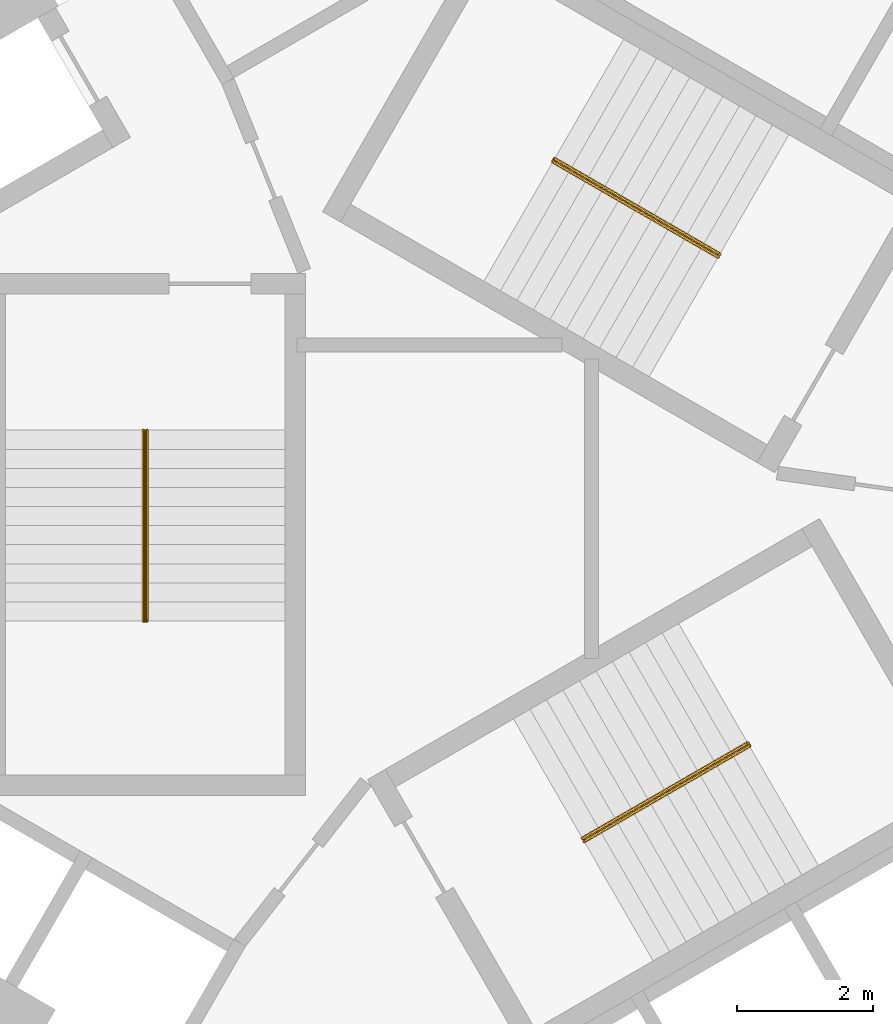
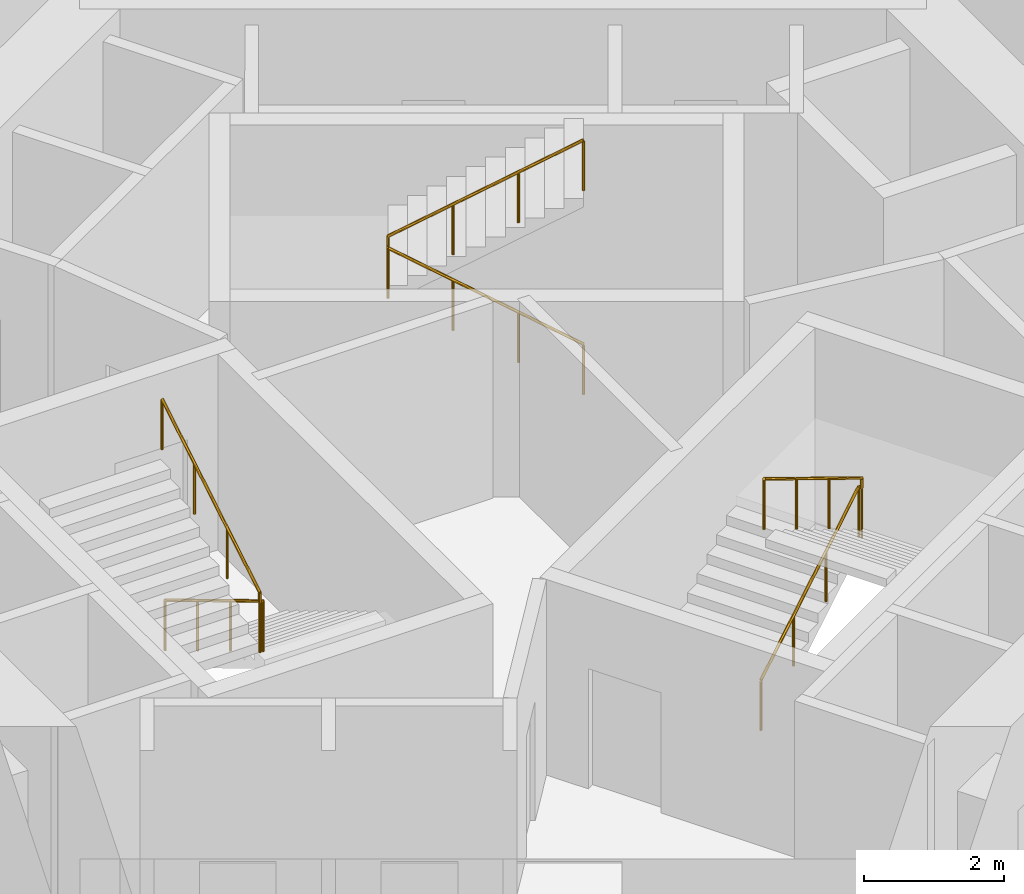
# One storey, part 10 of 10: 3 railings.
"""IFC4 building model written with IfcOpenShell, lengths in metres."""

import ifcopenshell
import ifcopenshell.guid

model = None  # the IFC model being written
_history = None  # IfcOwnerHistory: only IFC2X3 demands one
_inside = {}  # id of a spatial element -> (the spatial element, [elements in it])
_under = {}  # id of a project, library or spatial element -> (it, [spatial elements below it])
_declared = {}  # id of a project -> (the project, [libraries it declares])
_typed = {}  # id of a type object -> (the type object, [elements of that type])
_made_of = {}  # id of a material, layer set ... -> (it, [elements and type objects made of it])


def new_model(schema):
    """Start an empty IFC model of exactly this schema.

    Asked for "IFC4X3", IfcOpenShell would pick the latest addendum, in which some entities
    have other attributes; the version numbers below select the first issue.
    IFC2X3 requires an IfcOwnerHistory on every rooted entity: one is made here for all.
    """
    global model, _history
    if schema == "IFC4X3":
        model = ifcopenshell.file(schema_version=(4, 3, 0, 0))
    else:
        model = ifcopenshell.file(schema=schema)
    _inside.clear()
    _under.clear()
    _declared.clear()
    _typed.clear()
    _made_of.clear()
    _history = None
    if model.schema == "IFC2X3":
        org = make("IfcOrganization", Name="unknown")
        user = make(
            "IfcPersonAndOrganization",
            ThePerson=make("IfcPerson", FamilyName="unknown"),
            TheOrganization=org,
        )
        app = make(
            "IfcApplication",
            ApplicationDeveloper=org,
            Version="unknown",
            ApplicationFullName="unknown",
            ApplicationIdentifier="unknown",
        )
        _history = make(
            "IfcOwnerHistory",
            OwningUser=user,
            OwningApplication=app,
            ChangeAction="ADDED",
            CreationDate=0,
        )
    return model


def make(cls, **values):
    """One entity of the class cls with the attributes given. An attribute that is None is left unset."""
    return model.create_entity(
        cls, **{name: value for name, value in values.items() if value is not None}
    )


def rooted(cls, **values):
    """An entity with a GlobalId (a new one), such as an element, a storey or a relation."""
    return make(cls, GlobalId=ifcopenshell.guid.new(), OwnerHistory=_history, **values)


def si_unit(unit_type, name, prefix=None):
    """IfcSIUnit, for example si_unit("LENGTHUNIT", "METRE", prefix="MILLI")."""
    return make("IfcSIUnit", UnitType=unit_type, Prefix=prefix, Name=name)


def assignment(units):
    """IfcUnitAssignment: the units of a project."""
    return None if units is None else make("IfcUnitAssignment", Units=units)


def point(xyz):
    """IfcCartesianPoint."""
    return None if xyz is None else make("IfcCartesianPoint", Coordinates=xyz)


def direction(xyz):
    """IfcDirection."""
    return None if xyz is None else make("IfcDirection", DirectionRatios=xyz)


def frame(location, z_axis=None, x_axis=None):
    """IfcAxis2Placement3D, a coordinate frame: its origin and axes. An axis left out is left unset."""
    return make(
        "IfcAxis2Placement3D",
        Location=point(location),
        Axis=direction(z_axis),
        RefDirection=direction(x_axis),
    )


def frame_2d(location, x_axis=None):
    """IfcAxis2Placement2D, a coordinate frame in the plane: its origin and x axis."""
    return make(
        "IfcAxis2Placement2D", Location=point(location), RefDirection=direction(x_axis)
    )


def origin():
    """The frame at (0, 0, 0) with its axes left unset."""
    return frame((0.0, 0.0, 0.0))


def origin_2d():
    """The frame at (0, 0) in the plane with its x axis left unset."""
    return frame_2d((0.0, 0.0))


def place(relative_to, where):
    """IfcLocalPlacement: puts the frame where relative to a parent placement (None: the world)."""
    return make(
        "IfcLocalPlacement", PlacementRelTo=relative_to, RelativePlacement=where
    )


def context(
    kind, dimensions, precision=None, world=None, true_north=None, identifier=None
):
    """IfcGeometricRepresentationContext, for example the 3D "Model" context."""
    return make(
        "IfcGeometricRepresentationContext",
        ContextIdentifier=identifier,
        ContextType=kind,
        CoordinateSpaceDimension=dimensions,
        Precision=precision,
        WorldCoordinateSystem=world,
        TrueNorth=true_north,
    )


def subcontext(parent, identifier, kind, view, scale=None):
    """IfcGeometricRepresentationSubContext, for example "Body" below "Model"."""
    return make(
        "IfcGeometricRepresentationSubContext",
        ContextIdentifier=identifier,
        ContextType=kind,
        ParentContext=parent,
        TargetScale=scale,
        TargetView=view,
    )


def project(units=None, contexts=None):
    """IfcProject with its units and contexts."""
    return rooted(
        "IfcProject",
        Name="project",
        RepresentationContexts=contexts,
        UnitsInContext=assignment(units),
    )


def spatial(cls, under=None, at=None, **own):
    """A site, building, storey or space (cls), placed at a placement, below another one or the project."""
    s = rooted(cls, ObjectPlacement=at, **own)
    if under is not None:
        _under.setdefault(under.id(), (under, []))[1].append(s)
    return s


def profile(cls, at=None, kind="AREA", **sizes):
    """A parametric profile (cls). Its sizes go by their IFC names, for example OverallWidth=200.0."""
    return make(cls, ProfileType=kind, Position=at, **sizes)


def circle(**sizes):
    """IfcCircleProfileDef."""
    return profile("IfcCircleProfileDef", **sizes)


def extrude(swept, where, along, depth):
    """IfcExtrudedAreaSolid: the profile swept, set in the frame where, extruded along a direction by depth."""
    return make(
        "IfcExtrudedAreaSolid",
        SweptArea=swept,
        Position=where,
        ExtrudedDirection=direction(along),
        Depth=depth,
    )


def shape(context_of_items, identifier, shape_type, items):
    """IfcShapeRepresentation: the items that make up one representation, for example the "Body"."""
    return make(
        "IfcShapeRepresentation",
        ContextOfItems=context_of_items,
        RepresentationIdentifier=identifier,
        RepresentationType=shape_type,
        Items=items,
    )


def material(Name=None, Category=None):
    """IfcMaterial."""
    return make("IfcMaterial", Name=Name, Category=Category)


def made_of(thing, what):
    """Note that an element or type object is made of a material, layer set ...; save() writes the relation."""
    if what is not None:
        _made_of.setdefault(what.id(), (what, []))[1].append(thing)
    return thing


def type_object(cls, material=None, **own):
    """A type object (cls), such as IfcWallType, which elements share."""
    return made_of(rooted(cls, **own), material)


def element(
    cls,
    number,
    at=None,
    inside=None,
    cuts=None,
    type_object=None,
    material=None,
    context=None,
    identifier="Body",
    shape_type=None,
    held_by="IfcProductDefinitionShape",
    body=None,
    shapes=None,
    **own,
):
    """One element of the class cls, such as IfcWall. Its Tag is "e" and its number.

    at: its placement. inside: the storey or other place that contains it. cuts: it is an
    opening in that element (IfcRelVoidsElement). A single representation is given by context,
    identifier, shape_type and body (its items); several are given by shapes. held_by: the class
    of the entity that holds the representations. save() writes the other relations.
    """
    e = rooted(cls, Tag="e%d" % number, ObjectPlacement=at, **own)
    if body is not None:
        shapes = [shape(context, identifier, shape_type, body)]
    if shapes is not None:
        e.Representation = make(held_by, Representations=shapes)
    if inside is not None:
        _inside.setdefault(inside.id(), (inside, []))[1].append(e)
    if cuts is not None:
        rooted(
            "IfcRelVoidsElement", RelatingBuildingElement=cuts, RelatedOpeningElement=e
        )
    if type_object is not None:
        _typed.setdefault(type_object.id(), (type_object, []))[1].append(e)
    return made_of(e, material)


def aggregate(whole, parts):
    """IfcRelAggregates: a whole, such as a stair, and the parts it consists of."""
    return rooted("IfcRelAggregates", RelatingObject=whole, RelatedObjects=parts)


def save(model, path):
    """Write the relations noted so far, then the file.

    IfcRelAggregates (storeys below a building ...), IfcRelContainedInSpatialStructure (elements
    in a storey), IfcRelDefinesByType, IfcRelAssociatesMaterial and IfcRelDeclares: one each for
    every whole, place, type object, material and project.
    """
    for whole, parts in _under.values():
        aggregate(whole, parts)
    for where, things in _inside.values():
        rooted(
            "IfcRelContainedInSpatialStructure",
            RelatedElements=things,
            RelatingStructure=where,
        )
    for kind, things in _typed.values():
        rooted("IfcRelDefinesByType", RelatedObjects=things, RelatingType=kind)
    for what, things in _made_of.values():
        rooted("IfcRelAssociatesMaterial", RelatedObjects=things, RelatingMaterial=what)
    for by, libraries in _declared.values():
        rooted("IfcRelDeclares", RelatingContext=by, RelatedDefinitions=libraries)
    model.write(path)


model = new_model("IFC4")

# Units and contexts
model_context = context("Model", 3, precision=1e-05, world=origin(), true_north=direction((0.0, 1.0)))
body_context = subcontext(model_context, "Body", "Model", "MODEL_VIEW")
ifc_project = project(units=[si_unit("LENGTHUNIT", "METRE"), si_unit("AREAUNIT", "SQUARE_METRE"), si_unit("VOLUMEUNIT", "CUBIC_METRE"), si_unit("PLANEANGLEUNIT", "RADIAN"), si_unit("MASSUNIT", "GRAM", prefix="KILO")], contexts=[model_context])

# Site, building, storey
site_placement = place(None, origin())
site = spatial("IfcSite", under=ifc_project, at=site_placement, CompositionType="ELEMENT")
building_placement = place(site_placement, origin())
building = spatial("IfcBuilding", under=site, at=building_placement, Name="Vanh Sen Convention Tower", CompositionType="ELEMENT")
storey_placement = place(building_placement, frame((0.0, 0.0, 194.699951171875)))
storey = spatial("IfcBuildingStorey", under=building, at=storey_placement, Name="L48", CompositionType="ELEMENT", Elevation=194.699951171875)

# Railings
ifc_material = material(Name="Stainless steel handrail", Category="steel")
railing_type = type_object("IfcRailingType", Name="Stair handrail 900", PredefinedType="HANDRAIL", material=ifc_material)
railing_1_placement = place(storey_placement, frame((3.45849609375, 3.690185546875, 0.168212890625)))
element("IfcRailing", 1, at=railing_1_placement, inside=storey, type_object=railing_type, Name="Stair handrail ST1 L48", PredefinedType="HANDRAIL", context=body_context, shape_type="SweptSolid", body=[
    extrude(circle(Radius=0.02392578125, at=origin_2d()), frame((0.0, 0.0, 0.8759765625), z_axis=(-0.742390482028, 0.42860119049, 0.514934356695), x_axis=(-0.49998411664, -0.866034573852, 0.0)), (0.0, 0.0, 1.0), 3.26611328125),
    extrude(circle(Radius=0.02392578125, at=origin_2d()), frame((-2.4248046875, 1.39990234375, 2.5576171875), z_axis=(0.497188445666, 0.867642581652, 0.0), x_axis=(-0.867642581652, 0.497188445666, 0.0)), (0.0, 0.0, 1.0), 0.050048828125),
    extrude(circle(Radius=0.02392578125, at=origin_2d()), frame((-2.39990234375, 1.443359375, 2.5576171875), z_axis=(0.0, 0.0, 1.0), x_axis=(1.0, 0.0, 0.0)), (0.0, 0.0, 1.0), 0.168212890625),
    extrude(circle(Radius=0.02392578125, at=origin_2d()), frame((-2.39990234375, 1.443359375, 2.72607421875), z_axis=(0.742395268701, -0.428678701772, 0.514862928999), x_axis=(0.500049511043, 0.865996816683, 0.0)), (0.0, 0.0, 1.0), 3.26611328125),
    extrude(circle(Radius=0.02099609375, at=origin_2d()), origin(), (0.0, 0.0, 1.0), 0.851806640625),
    extrude(circle(Radius=0.02099609375, at=origin_2d()), frame((-0.808349609375, 0.466552734375, 0.560546875)), (0.0, 0.0, 1.0), 0.851806640625),
    extrude(circle(Radius=0.02099609375, at=origin_2d()), frame((-1.616455078125, 0.933349609375, 1.121337890625)), (0.0, 0.0, 1.0), 0.851806640625),
    extrude(circle(Radius=0.02099609375, at=origin_2d()), frame((-2.4248046875, 1.39990234375, 1.681884765625)), (0.0, 0.0, 1.0), 0.851806640625),
    extrude(circle(Radius=0.02099609375, at=origin_2d()), frame((-2.39990234375, 1.443359375, 1.681884765625)), (0.0, 0.0, 1.0), 0.851806640625),
    extrude(circle(Radius=0.02099609375, at=origin_2d()), frame((-2.39990234375, 1.443359375, 1.85009765625)), (0.0, 0.0, 1.0), 0.851806640625),
    extrude(circle(Radius=0.02099609375, at=origin_2d()), frame((-1.591552734375, 0.9765625, 2.41064453125)), (0.0, 0.0, 1.0), 0.851806640625),
    extrude(circle(Radius=0.02099609375, at=origin_2d()), frame((-0.783447265625, 0.510009765625, 2.97119140625)), (0.0, 0.0, 1.0), 0.851806640625),
    extrude(circle(Radius=0.02099609375, at=origin_2d()), frame((0.02490234375, 0.043212890625, 3.53173828125)), (0.0, 0.0, 1.0), 0.851806640625),
])
railing_2_placement = place(storey_placement, frame((-4.925048828125, 1.14990234375, 0.168212890625)))
element("IfcRailing", 2, at=railing_2_placement, inside=storey, type_object=railing_type, Name="Stair handrail ST2 L48", PredefinedType="HANDRAIL", context=body_context, shape_type="SweptSolid", body=[
    extrude(circle(Radius=0.02392578125, at=origin_2d()), frame((0.0, 0.0, 0.8759765625), z_axis=(0.0, -0.857222391501, 0.514946377315), x_axis=(1.0, 0.0, 0.0)), (0.0, 0.0, 1.0), 3.26611328125),
    extrude(circle(Radius=0.02392578125, at=origin_2d()), frame((0.0, -2.7998046875, 2.5576171875), z_axis=(-1.0, 0.0, 0.0), x_axis=(0.0, -1.0, 0.0)), (0.0, 0.0, 1.0), 0.050048828125),
    extrude(circle(Radius=0.02392578125, at=origin_2d()), frame((-0.050048828125, -2.7998046875, 2.5576171875), z_axis=(0.0, 0.0, 1.0), x_axis=(1.0, 0.0, 0.0)), (0.0, 0.0, 1.0), 0.168212890625),
    extrude(circle(Radius=0.02392578125, at=origin_2d()), frame((-0.050048828125, -2.7998046875, 2.72607421875), z_axis=(0.0, 0.857255387014, 0.514891446264), x_axis=(-1.0, 0.0, 0.0)), (0.0, 0.0, 1.0), 3.26611328125),
    extrude(circle(Radius=0.02099609375, at=origin_2d()), origin(), (0.0, 0.0, 1.0), 0.851806640625),
    extrude(circle(Radius=0.02099609375, at=origin_2d()), frame((0.0, -0.933349609375, 0.560546875)), (0.0, 0.0, 1.0), 0.851806640625),
    extrude(circle(Radius=0.02099609375, at=origin_2d()), frame((0.0, -1.866455078125, 1.121337890625)), (0.0, 0.0, 1.0), 0.851806640625),
    extrude(circle(Radius=0.02099609375, at=origin_2d()), frame((0.0, -2.7998046875, 1.681884765625)), (0.0, 0.0, 1.0), 0.851806640625),
    extrude(circle(Radius=0.02099609375, at=origin_2d()), frame((-0.050048828125, -2.7998046875, 1.681884765625)), (0.0, 0.0, 1.0), 0.851806640625),
    extrude(circle(Radius=0.02099609375, at=origin_2d()), frame((-0.050048828125, -2.7998046875, 1.85009765625)), (0.0, 0.0, 1.0), 0.851806640625),
    extrude(circle(Radius=0.02099609375, at=origin_2d()), frame((-0.050048828125, -1.866455078125, 2.41064453125)), (0.0, 0.0, 1.0), 0.851806640625),
    extrude(circle(Radius=0.02099609375, at=origin_2d()), frame((-0.050048828125, -0.933349609375, 2.97119140625)), (0.0, 0.0, 1.0), 0.851806640625),
    extrude(circle(Radius=0.02099609375, at=origin_2d()), frame((-0.050048828125, 0.0, 3.53173828125)), (0.0, 0.0, 1.0), 0.851806640625),
])
railing_3_placement = place(storey_placement, frame((1.466552734375, -4.840087890625, 0.168212890625)))
element("IfcRailing", 3, at=railing_3_placement, inside=storey, type_object=railing_type, Name="Stair handrail ST3 L48", PredefinedType="HANDRAIL", context=body_context, shape_type="SweptSolid", body=[
    extrude(circle(Radius=0.02392578125, at=origin_2d()), frame((0.0, 0.0, 0.8759765625), z_axis=(0.742390482028, 0.42860119049, 0.514934356695), x_axis=(-0.49998411664, 0.866034573852, 0.0)), (0.0, 0.0, 1.0), 3.26611328125),
    extrude(circle(Radius=0.02392578125, at=origin_2d()), frame((2.4248046875, 1.39990234375, 2.5576171875), z_axis=(0.502959906984, -0.86430974307, 0.0), x_axis=(0.86430974307, 0.502959906984, 0.0)), (0.0, 0.0, 1.0), 0.050048828125),
    extrude(circle(Radius=0.02392578125, at=origin_2d()), frame((2.449951171875, 1.356689453125, 2.5576171875), z_axis=(0.0, 0.0, 1.0), x_axis=(1.0, 0.0, 0.0)), (0.0, 0.0, 1.0), 0.168212890625),
    extrude(circle(Radius=0.02392578125, at=origin_2d()), frame((2.449951171875, 1.356689453125, 2.72607421875), z_axis=(-0.742395268701, -0.428678701772, 0.514862928999), x_axis=(0.500049511043, -0.865996816683, 0.0)), (0.0, 0.0, 1.0), 3.26611328125),
    extrude(circle(Radius=0.02099609375, at=origin_2d()), origin(), (0.0, 0.0, 1.0), 0.851806640625),
    extrude(circle(Radius=0.02099609375, at=origin_2d()), frame((0.808349609375, 0.466552734375, 0.560546875)), (0.0, 0.0, 1.0), 0.851806640625),
    extrude(circle(Radius=0.02099609375, at=origin_2d()), frame((1.616455078125, 0.933349609375, 1.121337890625)), (0.0, 0.0, 1.0), 0.851806640625),
    extrude(circle(Radius=0.02099609375, at=origin_2d()), frame((2.4248046875, 1.39990234375, 1.681884765625)), (0.0, 0.0, 1.0), 0.851806640625),
    extrude(circle(Radius=0.02099609375, at=origin_2d()), frame((2.449951171875, 1.356689453125, 1.681884765625)), (0.0, 0.0, 1.0), 0.851806640625),
    extrude(circle(Radius=0.02099609375, at=origin_2d()), frame((2.449951171875, 1.356689453125, 1.85009765625)), (0.0, 0.0, 1.0), 0.851806640625),
    extrude(circle(Radius=0.02099609375, at=origin_2d()), frame((1.6416015625, 0.889892578125, 2.41064453125)), (0.0, 0.0, 1.0), 0.851806640625),
    extrude(circle(Radius=0.02099609375, at=origin_2d()), frame((0.83349609375, 0.42333984375, 2.97119140625)), (0.0, 0.0, 1.0), 0.851806640625),
    extrude(circle(Radius=0.02099609375, at=origin_2d()), frame((0.025146484375, -0.04345703125, 3.53173828125)), (0.0, 0.0, 1.0), 0.851806640625),
])

save(model, "model.ifc")
